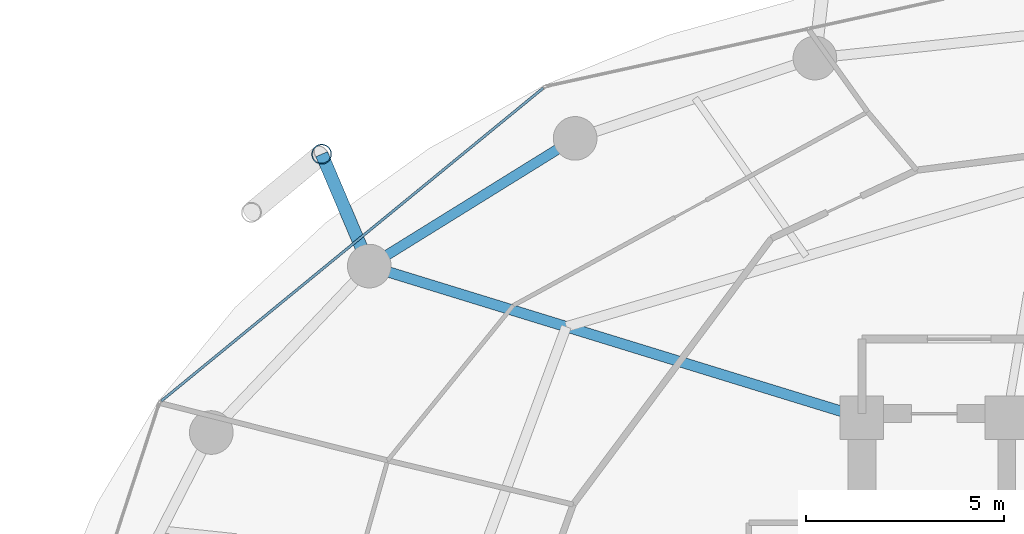
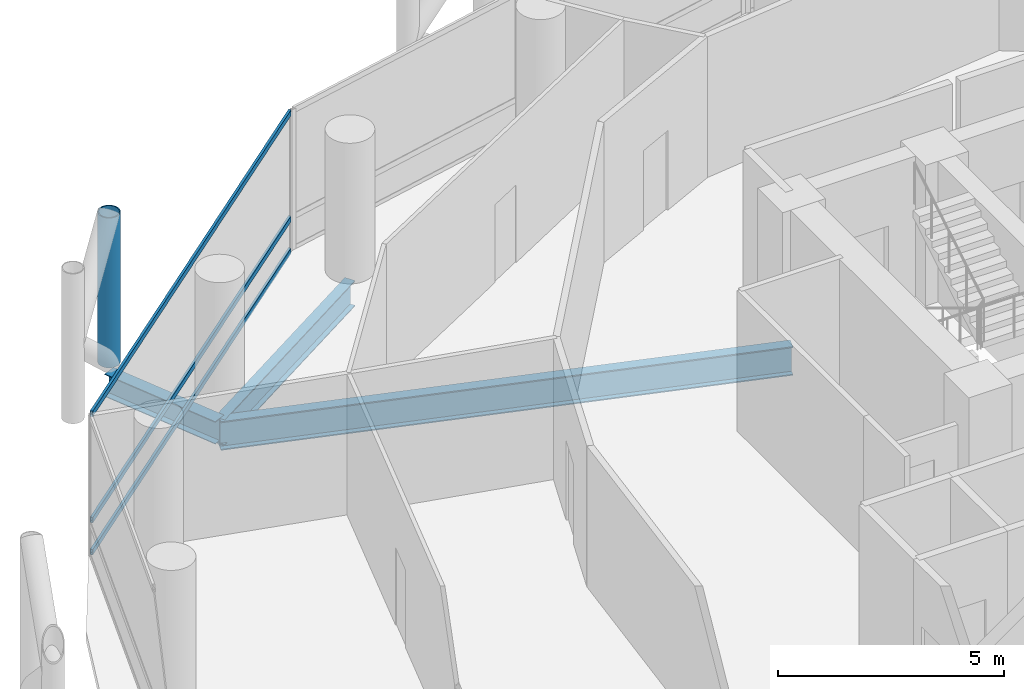
# One storey, part 14 of 24: 4 members, 3 beams, 1 element without a shape of its own.
"""IFC4 building model written with IfcOpenShell, lengths in metres."""

import ifcopenshell
import ifcopenshell.guid

model = None  # the IFC model being written
_history = None  # IfcOwnerHistory: only IFC2X3 demands one
_inside = {}  # id of a spatial element -> (the spatial element, [elements in it])
_under = {}  # id of a project, library or spatial element -> (it, [spatial elements below it])
_declared = {}  # id of a project -> (the project, [libraries it declares])
_typed = {}  # id of a type object -> (the type object, [elements of that type])
_made_of = {}  # id of a material, layer set ... -> (it, [elements and type objects made of it])


def new_model(schema):
    """Start an empty IFC model of exactly this schema.

    Asked for "IFC4X3", IfcOpenShell would pick the latest addendum, in which some entities
    have other attributes; the version numbers below select the first issue.
    IFC2X3 requires an IfcOwnerHistory on every rooted entity: one is made here for all.
    """
    global model, _history
    if schema == "IFC4X3":
        model = ifcopenshell.file(schema_version=(4, 3, 0, 0))
    else:
        model = ifcopenshell.file(schema=schema)
    _inside.clear()
    _under.clear()
    _declared.clear()
    _typed.clear()
    _made_of.clear()
    _history = None
    if model.schema == "IFC2X3":
        org = make("IfcOrganization", Name="unknown")
        user = make(
            "IfcPersonAndOrganization",
            ThePerson=make("IfcPerson", FamilyName="unknown"),
            TheOrganization=org,
        )
        app = make(
            "IfcApplication",
            ApplicationDeveloper=org,
            Version="unknown",
            ApplicationFullName="unknown",
            ApplicationIdentifier="unknown",
        )
        _history = make(
            "IfcOwnerHistory",
            OwningUser=user,
            OwningApplication=app,
            ChangeAction="ADDED",
            CreationDate=0,
        )
    return model


def make(cls, **values):
    """One entity of the class cls with the attributes given. An attribute that is None is left unset."""
    return model.create_entity(
        cls, **{name: value for name, value in values.items() if value is not None}
    )


def rooted(cls, **values):
    """An entity with a GlobalId (a new one), such as an element, a storey or a relation."""
    return make(cls, GlobalId=ifcopenshell.guid.new(), OwnerHistory=_history, **values)


def si_unit(unit_type, name, prefix=None):
    """IfcSIUnit, for example si_unit("LENGTHUNIT", "METRE", prefix="MILLI")."""
    return make("IfcSIUnit", UnitType=unit_type, Prefix=prefix, Name=name)


def assignment(units):
    """IfcUnitAssignment: the units of a project."""
    return None if units is None else make("IfcUnitAssignment", Units=units)


def point(xyz):
    """IfcCartesianPoint."""
    return None if xyz is None else make("IfcCartesianPoint", Coordinates=xyz)


def direction(xyz):
    """IfcDirection."""
    return None if xyz is None else make("IfcDirection", DirectionRatios=xyz)


def frame(location, z_axis=None, x_axis=None):
    """IfcAxis2Placement3D, a coordinate frame: its origin and axes. An axis left out is left unset."""
    return make(
        "IfcAxis2Placement3D",
        Location=point(location),
        Axis=direction(z_axis),
        RefDirection=direction(x_axis),
    )


def frame_2d(location, x_axis=None):
    """IfcAxis2Placement2D, a coordinate frame in the plane: its origin and x axis."""
    return make(
        "IfcAxis2Placement2D", Location=point(location), RefDirection=direction(x_axis)
    )


def origin():
    """The frame at (0, 0, 0) with its axes left unset."""
    return frame((0.0, 0.0, 0.0))


def origin_2d():
    """The frame at (0, 0) in the plane with its x axis left unset."""
    return frame_2d((0.0, 0.0))


def place(relative_to, where):
    """IfcLocalPlacement: puts the frame where relative to a parent placement (None: the world)."""
    return make(
        "IfcLocalPlacement", PlacementRelTo=relative_to, RelativePlacement=where
    )


def context(
    kind, dimensions, precision=None, world=None, true_north=None, identifier=None
):
    """IfcGeometricRepresentationContext, for example the 3D "Model" context."""
    return make(
        "IfcGeometricRepresentationContext",
        ContextIdentifier=identifier,
        ContextType=kind,
        CoordinateSpaceDimension=dimensions,
        Precision=precision,
        WorldCoordinateSystem=world,
        TrueNorth=true_north,
    )


def subcontext(parent, identifier, kind, view, scale=None):
    """IfcGeometricRepresentationSubContext, for example "Body" below "Model"."""
    return make(
        "IfcGeometricRepresentationSubContext",
        ContextIdentifier=identifier,
        ContextType=kind,
        ParentContext=parent,
        TargetScale=scale,
        TargetView=view,
    )


def project(units=None, contexts=None):
    """IfcProject with its units and contexts."""
    return rooted(
        "IfcProject",
        Name="project",
        RepresentationContexts=contexts,
        UnitsInContext=assignment(units),
    )


def spatial(cls, under=None, at=None, **own):
    """A site, building, storey or space (cls), placed at a placement, below another one or the project."""
    s = rooted(cls, ObjectPlacement=at, **own)
    if under is not None:
        _under.setdefault(under.id(), (under, []))[1].append(s)
    return s


def profile(cls, at=None, kind="AREA", **sizes):
    """A parametric profile (cls). Its sizes go by their IFC names, for example OverallWidth=200.0."""
    return make(cls, ProfileType=kind, Position=at, **sizes)


def hollow_rectangle(**sizes):
    """IfcRectangleHollowProfileDef."""
    return profile("IfcRectangleHollowProfileDef", **sizes)


def hollow_circle(**sizes):
    """IfcCircleHollowProfileDef."""
    return profile("IfcCircleHollowProfileDef", **sizes)


def i_section(**sizes):
    """IfcIShapeProfileDef."""
    return profile("IfcIShapeProfileDef", **sizes)


def extrude(swept, where, along, depth):
    """IfcExtrudedAreaSolid: the profile swept, set in the frame where, extruded along a direction by depth."""
    return make(
        "IfcExtrudedAreaSolid",
        SweptArea=swept,
        Position=where,
        ExtrudedDirection=direction(along),
        Depth=depth,
    )


def shape(context_of_items, identifier, shape_type, items):
    """IfcShapeRepresentation: the items that make up one representation, for example the "Body"."""
    return make(
        "IfcShapeRepresentation",
        ContextOfItems=context_of_items,
        RepresentationIdentifier=identifier,
        RepresentationType=shape_type,
        Items=items,
    )


def material(Name=None, Category=None):
    """IfcMaterial."""
    return make("IfcMaterial", Name=Name, Category=Category)


def layer(
    of_material, thickness, ventilated=None, Name=None, Category=None, Priority=None
):
    """IfcMaterialLayer: one layer of a wall or slab, of a material (None: an air gap)."""
    return make(
        "IfcMaterialLayer",
        Material=of_material,
        LayerThickness=thickness,
        IsVentilated=ventilated,
        Name=Name,
        Category=Category,
        Priority=Priority,
    )


def layer_set(layers, Name=None):
    """IfcMaterialLayerSet."""
    return make("IfcMaterialLayerSet", MaterialLayers=layers, LayerSetName=Name)


def material_profile(
    of_material, cross_section, Name=None, Category=None, Priority=None
):
    """IfcMaterialProfile: a cross section and its material."""
    return make(
        "IfcMaterialProfile",
        Name=Name,
        Material=of_material,
        Profile=cross_section,
        Priority=Priority,
        Category=Category,
    )


def profile_set(profiles, Name=None, composite=None):
    """IfcMaterialProfileSet."""
    return make(
        "IfcMaterialProfileSet",
        Name=Name,
        MaterialProfiles=profiles,
        CompositeProfile=composite,
    )


def made_of(thing, what):
    """Note that an element or type object is made of a material, layer set ...; save() writes the relation."""
    if what is not None:
        _made_of.setdefault(what.id(), (what, []))[1].append(thing)
    return thing


def type_object(cls, material=None, **own):
    """A type object (cls), such as IfcWallType, which elements share."""
    return made_of(rooted(cls, **own), material)


def element(
    cls,
    number,
    at=None,
    inside=None,
    cuts=None,
    type_object=None,
    material=None,
    context=None,
    identifier="Body",
    shape_type=None,
    held_by="IfcProductDefinitionShape",
    body=None,
    shapes=None,
    **own,
):
    """One element of the class cls, such as IfcWall. Its Tag is "e" and its number.

    at: its placement. inside: the storey or other place that contains it. cuts: it is an
    opening in that element (IfcRelVoidsElement). A single representation is given by context,
    identifier, shape_type and body (its items); several are given by shapes. held_by: the class
    of the entity that holds the representations. save() writes the other relations.
    """
    e = rooted(cls, Tag="e%d" % number, ObjectPlacement=at, **own)
    if body is not None:
        shapes = [shape(context, identifier, shape_type, body)]
    if shapes is not None:
        e.Representation = make(held_by, Representations=shapes)
    if inside is not None:
        _inside.setdefault(inside.id(), (inside, []))[1].append(e)
    if cuts is not None:
        rooted(
            "IfcRelVoidsElement", RelatingBuildingElement=cuts, RelatedOpeningElement=e
        )
    if type_object is not None:
        _typed.setdefault(type_object.id(), (type_object, []))[1].append(e)
    return made_of(e, material)


def aggregate(whole, parts):
    """IfcRelAggregates: a whole, such as a stair, and the parts it consists of."""
    return rooted("IfcRelAggregates", RelatingObject=whole, RelatedObjects=parts)


def save(model, path):
    """Write the relations noted so far, then the file.

    IfcRelAggregates (storeys below a building ...), IfcRelContainedInSpatialStructure (elements
    in a storey), IfcRelDefinesByType, IfcRelAssociatesMaterial and IfcRelDeclares: one each for
    every whole, place, type object, material and project.
    """
    for whole, parts in _under.values():
        aggregate(whole, parts)
    for where, things in _inside.values():
        rooted(
            "IfcRelContainedInSpatialStructure",
            RelatedElements=things,
            RelatingStructure=where,
        )
    for kind, things in _typed.values():
        rooted("IfcRelDefinesByType", RelatedObjects=things, RelatingType=kind)
    for what, things in _made_of.values():
        rooted("IfcRelAssociatesMaterial", RelatedObjects=things, RelatingMaterial=what)
    for by, libraries in _declared.values():
        rooted("IfcRelDeclares", RelatingContext=by, RelatedDefinitions=libraries)
    model.write(path)


model = new_model("IFC4")

# Units and contexts
model_context = context("Model", 3, precision=1e-05, world=origin(), true_north=direction((0.0, 1.0)))
body_context = subcontext(model_context, "Body", "Model", "MODEL_VIEW")
ifc_project = project(units=[si_unit("LENGTHUNIT", "METRE"), si_unit("AREAUNIT", "SQUARE_METRE"), si_unit("VOLUMEUNIT", "CUBIC_METRE"), si_unit("PLANEANGLEUNIT", "RADIAN"), si_unit("MASSUNIT", "GRAM", prefix="KILO")], contexts=[model_context])

# Site, building, storey
site_placement = place(None, origin())
site = spatial("IfcSite", under=ifc_project, at=site_placement, CompositionType="ELEMENT")
building_placement = place(site_placement, origin())
building = spatial("IfcBuilding", under=site, at=building_placement, Name="Nuhasar Tower", CompositionType="ELEMENT")
storey_placement = place(building_placement, frame((0.0, 0.0, 89.85009765625)))
storey = spatial("IfcBuildingStorey", under=building, at=storey_placement, Name="L21", CompositionType="ELEMENT", Elevation=89.85009765625)

# Beams
ifc_material_1 = material(Name="Steel S355", Category="steel")
ifc_material_profile_1 = material_profile(ifc_material_1, i_section(OverallWidth=0.26611328125, OverallDepth=0.779052734375, WebThickness=0.0166015625, FlangeThickness=0.030029296875, at=origin_2d()), Name="W30X148")
ifc_profile_set_1 = profile_set([ifc_material_profile_1], Name="Steel S355")
beam_type_1 = type_object("IfcBeamType", Name="BM-RAD-W30X148", PredefinedType="BEAM", material=ifc_profile_set_1)
beam_1_placement = place(storey_placement, frame((33.699951171875, 37.300048828125, -0.64013671875), z_axis=(-0.955789576103, 0.294051502653, 0.0), x_axis=(-0.294051502653, -0.955789576103, 0.0)))
element("IfcBeam", 1, at=beam_1_placement, inside=storey, type_object=beam_type_1, Name="L21 Radial Floor Girder 07", PredefinedType="BEAM", context=body_context, shape_type="SweptSolid", body=[
    extrude(i_section(OverallWidth=0.26611328125, OverallDepth=0.779052734375, WebThickness=0.0166015625, FlangeThickness=0.030029296875, at=origin_2d()), origin(), (0.0, 0.0, 1.0), 12.987060546875),
])
ifc_material_profile_2 = material_profile(ifc_material_1, i_section(OverallWidth=0.256103515625, OverallDepth=0.693115234375, WebThickness=0.014404296875, FlangeThickness=0.023681640625, at=origin_2d()), Name="W27X114")
ifc_profile_set_2 = profile_set([ifc_material_profile_2], Name="Steel S355")
beam_type_2 = type_object("IfcBeamType", Name="BM-RING-W27X114", PredefinedType="SPANDREL", material=ifc_profile_set_2)
beam_2_placement = place(storey_placement, frame((26.47509765625, 44.3369140625, -0.59716796875), z_axis=(-0.849795216549, -0.527112976439, 0.0), x_axis=(0.527112976439, -0.849795216549, 0.0)))
element("IfcBeam", 2, at=beam_2_placement, inside=storey, type_object=beam_type_2, Name="L21 Perimeter Ring Spandrel 09", PredefinedType="SPANDREL", context=body_context, shape_type="SweptSolid", body=[
    extrude(i_section(OverallWidth=0.256103515625, OverallDepth=0.693115234375, WebThickness=0.014404296875, FlangeThickness=0.023681640625, at=origin_2d()), origin(), (0.0, 0.0, 1.0), 6.10498046875),
])
ifc_material_profile_3 = material_profile(ifc_material_1, i_section(OverallWidth=0.323974609375, OverallDepth=0.611083984375, WebThickness=0.0126953125, FlangeThickness=0.01904296875, at=origin_2d()), Name="W24X104")
ifc_profile_set_3 = profile_set([ifc_material_profile_3], Name="Steel S355")
beam_type_3 = type_object("IfcBeamType", Name="BM-TIE-W24X104", PredefinedType="BEAM", material=ifc_profile_set_3)
beam_3_placement = place(storey_placement, frame((21.287109375, 41.118896484375, -0.55615234375), z_axis=(-0.391601084021, 0.920135093882, 0.0), x_axis=(-0.920135093882, -0.391601084021, 0.0)))
element("IfcBeam", 3, at=beam_3_placement, inside=storey, type_object=beam_type_3, Name="L21 Exoskeleton Node Tie Beam 05", PredefinedType="BEAM", context=body_context, shape_type="SweptSolid", body=[
    extrude(i_section(OverallWidth=0.323974609375, OverallDepth=0.611083984375, WebThickness=0.0126953125, FlangeThickness=0.01904296875, at=origin_2d()), origin(), (0.0, 0.0, 1.0), 3.06494140625),
])

# Curtain wall, members
ifc_material_2 = material(Name="Aluminium 6063-T6", Category="aluminium")
ifc_layer = layer(ifc_material_2, 0.199951171875)
ifc_layer_set = layer_set([ifc_layer], Name="Aluminium 6063-T6")
curtain_wall_type = type_object("IfcCurtainWallType", Name="CW-Z1-OFF", PredefinedType="NOTDEFINED", material=ifc_layer_set)
curtain_wall_placement = place(storey_placement, origin())
curtain_wall = element("IfcCurtainWall", 4, at=curtain_wall_placement, inside=storey, type_object=curtain_wall_type, Name="L21 Unitised Curtain Wall 05", PredefinedType="NOTDEFINED")
ifc_material_profile_4 = material_profile(ifc_material_2, hollow_rectangle(XDim=0.06494140625, YDim=0.14990234375, WallThickness=0.00439453125, at=origin_2d()), Name="CWT-2")
ifc_profile_set_4 = profile_set([ifc_material_profile_4], Name="Aluminium 6063-T6")
member_type_1 = type_object("IfcMemberType", Name="CW-TRN-S2", PredefinedType="USERDEFINED", material=ifc_profile_set_4)
member_1_placement = place(storey_placement, frame((25.669677734375, 45.603759765625, 0.032470703125), z_axis=(-0.773540851599, -0.633746440548, 0.0), x_axis=(0.633746440548, -0.773540851599, 0.0)))
member_1 = element("IfcMember", 5, at=member_1_placement, type_object=member_type_1, Name="CW-Z1 transom 1.1", ObjectType="TRANSOM", PredefinedType="USERDEFINED", context=body_context, shape_type="SweptSolid", body=[
    extrude(hollow_rectangle(XDim=0.06494140625, YDim=0.14990234375, WallThickness=0.00439453125, at=origin_2d()), origin(), (0.0, 0.0, 1.0), 12.43798828125),
])
member_2_placement = place(storey_placement, frame((25.669677734375, 45.603759765625, 0.89990234375), z_axis=(-0.773540851599, -0.633746440548, 0.0), x_axis=(0.633746440548, -0.773540851599, 0.0)))
member_2 = element("IfcMember", 6, at=member_2_placement, type_object=member_type_1, Name="CW-Z1 transom 1.2", ObjectType="TRANSOM", PredefinedType="USERDEFINED", context=body_context, shape_type="SweptSolid", body=[
    extrude(hollow_rectangle(XDim=0.06494140625, YDim=0.14990234375, WallThickness=0.00439453125, at=origin_2d()), origin(), (0.0, 0.0, 1.0), 12.43798828125),
])
member_3_placement = place(storey_placement, frame((25.669677734375, 45.603759765625, 3.767333984375), z_axis=(-0.773540851599, -0.633746440548, 0.0), x_axis=(0.633746440548, -0.773540851599, 0.0)))
member_3 = element("IfcMember", 7, at=member_3_placement, type_object=member_type_1, Name="CW-Z1 transom 1.3", ObjectType="TRANSOM", PredefinedType="USERDEFINED", context=body_context, shape_type="SweptSolid", body=[
    extrude(hollow_rectangle(XDim=0.06494140625, YDim=0.14990234375, WallThickness=0.00439453125, at=origin_2d()), origin(), (0.0, 0.0, 1.0), 12.43798828125),
])
aggregate(curtain_wall, [member_1, member_2, member_3])

# Member
ifc_material_3 = material(Name="Steel S460", Category="steel")
ifc_material_profile_5 = material_profile(ifc_material_3, hollow_circle(Radius=0.25390625, WallThickness=0.025390625, at=origin_2d()), Name="HSS508X25.4")
ifc_profile_set_5 = profile_set([ifc_material_profile_5], Name="Steel S460")
member_type_2 = type_object("IfcMemberType", Name="EXO-BRONZE-508", PredefinedType="BRACE", material=ifc_profile_set_5)
member_4_placement = place(storey_placement, frame((20.0869140625, 43.93896484375, 0.0), z_axis=(0.0, 0.0, 1.0), x_axis=(1.0, 0.0, 0.0)))
element("IfcMember", 8, at=member_4_placement, inside=storey, type_object=member_type_2, Name="L21 Exoskeleton Chord Column EC-05A", PredefinedType="BRACE", context=body_context, shape_type="SweptSolid", body=[
    extrude(hollow_circle(Radius=0.25390625, WallThickness=0.025390625, at=origin_2d()), origin(), (0.0, 0.0, 1.0), 4.0498046875),
])

save(model, "model.ifc")
